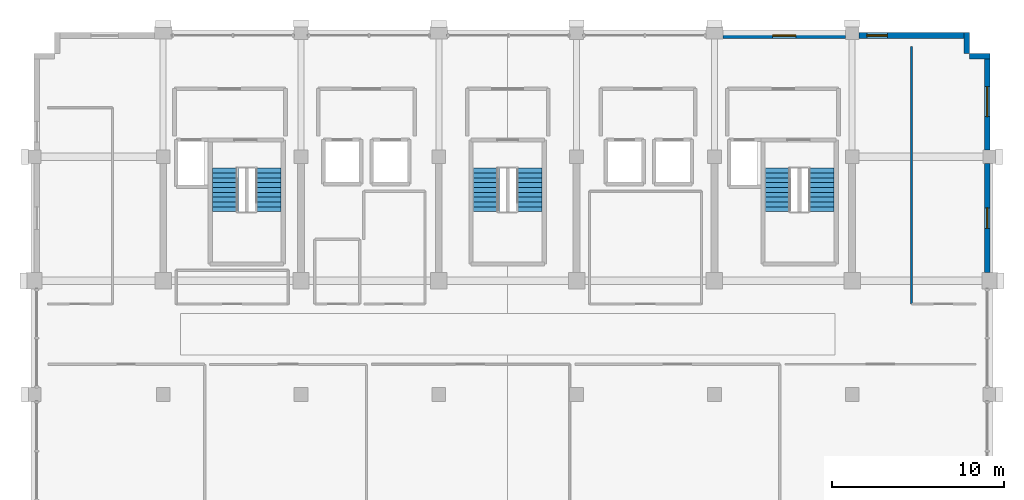
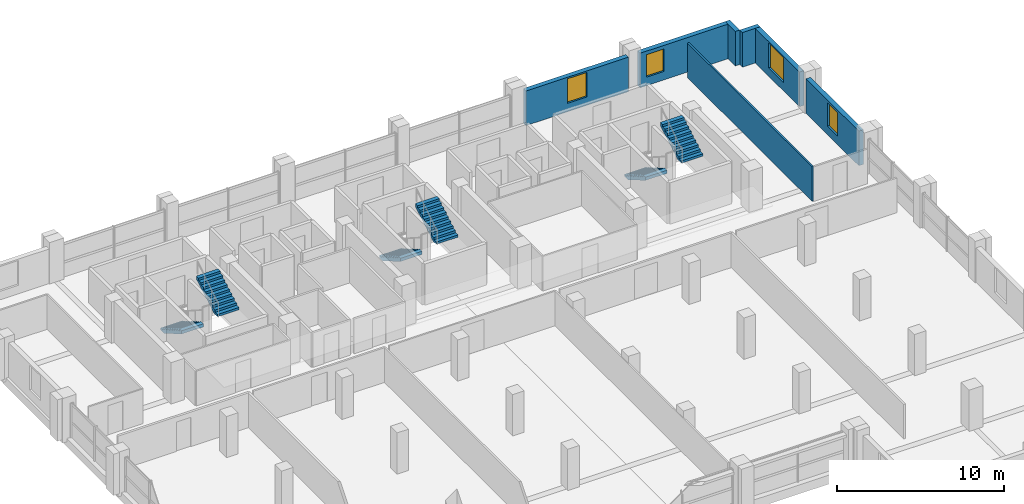
# One storey, part 22 of 23: 7 walls, 6 stair flights, 4 windows, 4 openings, 3 elements without a shape of their own.
"""IFC4 building model written with IfcOpenShell, lengths in metres."""

from ifc_helpers import new_model, si_unit, direction, frame, frame_2d, origin, place, context, subcontext, project, spatial, polyline, rectangle, outline, extrude, material, layer, layer_set, type_object, element, fill, aggregate, save


model = new_model("IFC4")

# Units and contexts
model_context = context("Model", 3, precision=1e-05, world=origin(), true_north=direction((0.0, 1.0)))
body_context = subcontext(model_context, "Body", "Model", "MODEL_VIEW")
ifc_project = project(units=[si_unit("LENGTHUNIT", "METRE"), si_unit("AREAUNIT", "SQUARE_METRE"), si_unit("VOLUMEUNIT", "CUBIC_METRE"), si_unit("PLANEANGLEUNIT", "RADIAN"), si_unit("MASSUNIT", "GRAM", prefix="KILO")], contexts=[model_context])

# Site, building, storey
site_placement = place(None, origin())
site = spatial("IfcSite", under=ifc_project, at=site_placement, CompositionType="ELEMENT")
building_placement = place(site_placement, origin())
building = spatial("IfcBuilding", under=site, at=building_placement, Name="Akrevak Sports Hall", CompositionType="ELEMENT")
storey_placement = place(building_placement, frame((0.0, 0.0, 43.800048828125)))
storey = spatial("IfcBuildingStorey", under=building, at=storey_placement, Name="L10", CompositionType="ELEMENT", Elevation=43.800048828125)

# Wall, opening, window
ifc_material_1 = material(Name="Limestone Ashlar", Category="stone")
ifc_layer_1 = layer(ifc_material_1, 0.070068359375, Name="Limestone Ashlar")
ifc_material_2 = material(Name="Mineral Wool Thermal Insulation", Category="insulation")
ifc_layer_2 = layer(ifc_material_2, 0.090087890625, Name="Mineral Wool Thermal Insulation")
ifc_material_3 = material(Name="Concrete C40/50", Category="concrete")
ifc_layer_3 = layer(ifc_material_3, 0.159912109375, Name="Concrete C40/50")
ifc_layer_set_1 = layer_set([ifc_layer_1, ifc_layer_2, ifc_layer_3], Name="Limestone Ashlar / Mineral Wool Thermal Insulation / Concrete C40/50")
wall_type_1 = type_object("IfcWallType", Name="ARC-WL-EXT-320", PredefinedType="SOLIDWALL", material=ifc_layer_set_1)
wall_1_placement = place(storey_placement, frame((107.840087890625, 55.675048828125, 0.0), z_axis=(0.0, 0.0, 1.0), x_axis=(0.0, 1.0, 0.0)))
wall_1 = element("IfcWall", 1, at=wall_1_placement, inside=storey, type_object=wall_type_1, Name="Tower Stone Facade Wall L10-E15", PredefinedType="SOLIDWALL", context=body_context, shape_type="SweptSolid", body=[
    extrude(rectangle(XDim=6.324951171875, YDim=0.320068359375, at=frame_2d((3.16259765625, 0.0))), origin(), (0.0, 0.0, 1.0), 2.530029296875),
])
opening_1_placement = place(wall_1_placement, frame((2.5625, 0.0, 0.6201171875)))
opening_1 = element("IfcOpeningElement", 2, at=opening_1_placement, cuts=wall_1, Name="Opening WN-13", PredefinedType="OPENING", context=body_context, shape_type="SweptSolid", body=[
    extrude(rectangle(XDim=1.199951171875, YDim=1.699951171875, at=frame_2d((0.60009765625, 0.85009765625))), frame((0.0, 0.171875, 0.0), z_axis=(0.0, -1.0, 0.0), x_axis=(1.0, 0.0, 0.0)), (0.0, 0.0, 1.0), 0.343994140625),
])
ifc_material_4 = material(Name="Thermally Broken Bronze Frame & Double Low-E Glass", Category="glass")
window_type_1 = type_object("IfcWindowType", Name="ARC-WIN-TW-120x170", PartitioningType="SINGLE_PANEL", PredefinedType="WINDOW", material=ifc_material_4)
window_1_placement = place(opening_1_placement, origin())
window_1 = element("IfcWindow", 3, at=window_1_placement, inside=storey, type_object=window_type_1, Name="Tower Window L10-E15", OverallHeight=1.699951171875, OverallWidth=1.199951171875, PartitioningType="SINGLE_PANEL", PredefinedType="WINDOW", context=body_context, shape_type="SweptSolid", body=[
    extrude(rectangle(XDim=1.199951171875, YDim=1.699951171875, at=frame_2d((0.60009765625, 0.85009765625))), frame((0.0, 0.030029296875, 0.0), z_axis=(0.0, -1.0, 0.0), x_axis=(1.0, 0.0, 0.0)), (0.0, 0.0, 1.0), 0.06005859375),
])
fill(opening_1, window_1)

wall_2_placement = place(storey_placement, frame((107.840087890625, 62.800048828125, 0.0), z_axis=(0.0, 0.0, 1.0), x_axis=(0.0, 1.0, 0.0)))
wall_2 = element("IfcWall", 4, at=wall_2_placement, inside=storey, type_object=wall_type_1, Name="Tower Stone Facade Wall L10-E16", PredefinedType="SOLIDWALL", context=body_context, shape_type="SweptSolid", body=[
    extrude(rectangle(XDim=5.599853515625, YDim=0.320068359375, at=frame_2d((2.7998046875, 0.0))), origin(), (0.0, 0.0, 1.0), 2.530029296875),
])
opening_2_placement = place(wall_2_placement, frame((1.925048828125, 0.0, 0.6201171875)))
opening_2 = element("IfcOpeningElement", 5, at=opening_2_placement, cuts=wall_2, Name="Opening WN-56", PredefinedType="OPENING", context=body_context, shape_type="SweptSolid", body=[
    extrude(rectangle(XDim=1.75, YDim=1.81005859375, at=frame_2d((0.875, 0.905029296875))), frame((0.0, 0.171875, 0.0), z_axis=(0.0, -1.0, 0.0), x_axis=(1.0, 0.0, 0.0)), (0.0, 0.0, 1.0), 0.343994140625),
])
window_type_2 = type_object("IfcWindowType", Name="ARC-WIN-SZ-1750x1810", PartitioningType="SINGLE_PANEL", PredefinedType="WINDOW", material=ifc_material_4)
window_2_placement = place(opening_2_placement, origin())
window_2 = element("IfcWindow", 6, at=window_2_placement, inside=storey, type_object=window_type_2, Name="Tower Window L10-E16", OverallHeight=1.81005859375, OverallWidth=1.75, PartitioningType="SINGLE_PANEL", PredefinedType="WINDOW", context=body_context, shape_type="SweptSolid", body=[
    extrude(rectangle(XDim=1.75, YDim=1.81005859375, at=frame_2d((0.875, 0.905029296875))), frame((0.0, 0.030029296875, 0.0), z_axis=(0.0, -1.0, 0.0), x_axis=(1.0, 0.0, 0.0)), (0.0, 0.0, 1.0), 0.06005859375),
])
fill(opening_2, window_2)

# Walls
wall_3_placement = place(storey_placement, frame((108.0, 68.239990234375, 0.0), z_axis=(0.0, 0.0, 1.0), x_axis=(-1.0, 0.0, 0.0)))
element("IfcWall", 7, at=wall_3_placement, inside=storey, type_object=wall_type_1, Name="Tower Stone Facade Wall L10-N17", PredefinedType="SOLIDWALL", context=body_context, shape_type="SweptSolid", body=[
    extrude(rectangle(XDim=1.199951171875, YDim=0.320068359375, at=frame_2d((0.60009765625, 0.0))), origin(), (0.0, 0.0, 1.0), 2.530029296875),
])
wall_4_placement = place(storey_placement, frame((106.639892578125, 68.39990234375, 0.0), z_axis=(0.0, 0.0, 1.0), x_axis=(0.0, 1.0, 0.0)))
element("IfcWall", 8, at=wall_4_placement, inside=storey, type_object=wall_type_1, Name="Tower Stone Facade Wall L10-E18", PredefinedType="SOLIDWALL", context=body_context, shape_type="SweptSolid", body=[
    extrude(rectangle(XDim=1.2001953125, YDim=0.320068359375, at=frame_2d((0.60009765625, 0.0))), origin(), (0.0, 0.0, 1.0), 2.530029296875),
])

# Wall, opening, window
wall_5_placement = place(storey_placement, frame((106.800048828125, 69.43994140625, 0.0), z_axis=(0.0, 0.0, 1.0), x_axis=(-1.0, 0.0, 0.0)))
wall_5 = element("IfcWall", 9, at=wall_5_placement, inside=storey, type_object=wall_type_1, Name="Tower Stone Facade Wall L10-N19", PredefinedType="SOLIDWALL", context=body_context, shape_type="SweptSolid", body=[
    extrude(rectangle(XDim=6.400146484375, YDim=0.320068359375, at=frame_2d((3.2001953125, 0.0))), origin(), (0.0, 0.0, 1.0), 2.530029296875),
])
opening_3_placement = place(wall_5_placement, frame((4.75, 0.0, 0.6201171875)))
opening_3 = element("IfcOpeningElement", 10, at=opening_3_placement, cuts=wall_5, Name="Opening WN-45", PredefinedType="OPENING", context=body_context, shape_type="SweptSolid", body=[
    extrude(rectangle(XDim=1.199951171875, YDim=1.64990234375, at=frame_2d((0.60009765625, 0.824951171875))), frame((0.0, 0.171875, 0.0), z_axis=(0.0, -1.0, 0.0), x_axis=(1.0, 0.0, 0.0)), (0.0, 0.0, 1.0), 0.343994140625),
])
window_type_3 = type_object("IfcWindowType", Name="ARC-WIN-SZ-1200x1650", PartitioningType="SINGLE_PANEL", PredefinedType="WINDOW", material=ifc_material_4)
window_3_placement = place(opening_3_placement, origin())
window_3 = element("IfcWindow", 11, at=window_3_placement, inside=storey, type_object=window_type_3, Name="Tower Window L10-N19", OverallHeight=1.64990234375, OverallWidth=1.199951171875, PartitioningType="SINGLE_PANEL", PredefinedType="WINDOW", context=body_context, shape_type="SweptSolid", body=[
    extrude(rectangle(XDim=1.199951171875, YDim=1.64990234375, at=frame_2d((0.60009765625, 0.824951171875))), frame((0.0, 0.030029296875, 0.0), z_axis=(0.0, -1.0, 0.0), x_axis=(1.0, 0.0, 0.0)), (0.0, 0.0, 1.0), 0.06005859375),
])
fill(opening_3, window_3)

wall_6_placement = place(storey_placement, frame((99.60009765625, 69.43994140625, 0.0), z_axis=(0.0, 0.0, 1.0), x_axis=(-1.0, 0.0, 0.0)))
wall_6 = element("IfcWall", 12, at=wall_6_placement, inside=storey, type_object=wall_type_1, Name="Tower Stone Facade Wall L10-N20", PredefinedType="SOLIDWALL", context=body_context, shape_type="SweptSolid", body=[
    extrude(rectangle(XDim=7.10009765625, YDim=0.320068359375, at=frame_2d((3.550048828125, 0.0))), origin(), (0.0, 0.0, 1.0), 2.530029296875),
])
opening_4_placement = place(wall_6_placement, frame((2.875, 0.0, 0.6201171875)))
opening_4 = element("IfcOpeningElement", 13, at=opening_4_placement, cuts=wall_6, Name="Opening WN-19", PredefinedType="OPENING", context=body_context, shape_type="SweptSolid", body=[
    extrude(rectangle(XDim=1.35009765625, YDim=1.800048828125, at=frame_2d((0.675048828125, 0.89990234375))), frame((0.0, 0.171875, 0.0), z_axis=(0.0, -1.0, 0.0), x_axis=(1.0, 0.0, 0.0)), (0.0, 0.0, 1.0), 0.343994140625),
])
window_type_4 = type_object("IfcWindowType", Name="ARC-WIN-TW-135x180", PartitioningType="SINGLE_PANEL", PredefinedType="WINDOW", material=ifc_material_4)
window_4_placement = place(opening_4_placement, origin())
window_4 = element("IfcWindow", 14, at=window_4_placement, inside=storey, type_object=window_type_4, Name="Tower Window L10-N20", OverallHeight=1.800048828125, OverallWidth=1.35009765625, PartitioningType="SINGLE_PANEL", PredefinedType="WINDOW", context=body_context, shape_type="SweptSolid", body=[
    extrude(rectangle(XDim=1.35009765625, YDim=1.800048828125, at=frame_2d((0.675048828125, 0.89990234375))), frame((0.0, 0.030029296875, 0.0), z_axis=(0.0, -1.0, 0.0), x_axis=(1.0, 0.0, 0.0)), (0.0, 0.0, 1.0), 0.06005859375),
])
fill(opening_4, window_4)

# Wall
ifc_material_5 = material(Name="Standard Metal Stud Partition", Category="gypsum")
ifc_layer_4 = layer(ifc_material_5, 0.1201171875, Name="Standard Metal Stud Partition")
ifc_layer_set_2 = layer_set([ifc_layer_4], Name="Standard Metal Stud Partition")
wall_type_2 = type_object("IfcWallType", Name="ARC-WL-PRT-120", PredefinedType="PARTITIONING", material=ifc_layer_set_2)
wall_7_placement = place(storey_placement, frame((103.449951171875, 53.85009765625, 0.0), z_axis=(0.0, 0.0, 1.0), x_axis=(0.0, 1.0, 0.0)))
element("IfcWall", 15, at=wall_7_placement, inside=storey, type_object=wall_type_2, Name="Interior Partition Federation Research Office L10-E1 (W)", PredefinedType="PARTITIONING", context=body_context, shape_type="SweptSolid", body=[
    extrude(rectangle(XDim=14.949951171875, YDim=0.1201171875, at=frame_2d((7.47509765625, 0.0))), origin(), (0.0, 0.0, 1.0), 2.530029296875),
])

# Stair, stair flights
stair_type = type_object("IfcStairType", Name="ARC-STR-DOG-325", PredefinedType="HALF_TURN_STAIR", material=ifc_material_3)
stair_1_placement = place(storey_placement, origin())
stair_1 = element("IfcStair", 16, at=stair_1_placement, inside=storey, type_object=stair_type, Name="Protected Exit Stair ST1 (L10 to L11)", PredefinedType="HALF_TURN_STAIR")
stair_flight_type = type_object("IfcStairFlightType", Name="ARC-FLT-165-163", PredefinedType="STRAIGHT", material=ifc_material_3)
stair_flight_1_placement = place(storey_placement, frame((63.610107421875, 61.735107421875, 0.0), z_axis=(0.0, 0.0, 1.0), x_axis=(0.0, -1.0, 0.0)))
stair_flight_1 = element("IfcStairFlight", 17, at=stair_flight_1_placement, type_object=stair_flight_type, Name="Stair ST1 Flight 1 (L10)", NumberOfRisers=10, NumberOfTreads=9, PredefinedType="STRAIGHT", RiserHeight=0.1625, TreadLength=0.28, context=body_context, shape_type="SweptSolid", body=[
    extrude(outline(polyline([(0.0, 0.0), (0.0, 0.16259765625), (0.280029296875, 0.16259765625), (0.280029296875, 0.324951171875), (0.56005859375, 0.324951171875), (0.56005859375, 0.487548828125), (0.840087890625, 0.487548828125), (0.840087890625, 0.64990234375), (1.1201171875, 0.64990234375), (1.1201171875, 0.8125), (1.39990234375, 0.8125), (1.39990234375, 0.97509765625), (1.679931640625, 0.97509765625), (1.679931640625, 1.137451171875), (1.9599609375, 1.137451171875), (1.9599609375, 1.300048828125), (2.239990234375, 1.300048828125), (2.239990234375, 1.46240234375), (2.52001953125, 1.46240234375), (2.52001953125, 1.625), (2.52001953125, 1.231201171875), (0.3984375, 0.0), (0.0, 0.0)])), frame((0.0, 0.75, 0.0), z_axis=(0.0, -1.0, 0.0), x_axis=(1.0, 0.0, 0.0)), (0.0, 0.0, 1.0), 1.5),
])
stair_flight_2_placement = place(storey_placement, frame((66.090087890625, 59.215087890625, 1.625), z_axis=(0.0, 0.0, 1.0), x_axis=(0.0, 1.0, 0.0)))
stair_flight_2 = element("IfcStairFlight", 18, at=stair_flight_2_placement, type_object=stair_flight_type, Name="Stair ST1 Flight 2 (L10)", NumberOfRisers=10, NumberOfTreads=9, PredefinedType="STRAIGHT", RiserHeight=0.1625, TreadLength=0.28, context=body_context, shape_type="SweptSolid", body=[
    extrude(outline(polyline([(0.0, 0.0), (0.0, 0.16259765625), (0.280029296875, 0.16259765625), (0.280029296875, 0.324951171875), (0.56005859375, 0.324951171875), (0.56005859375, 0.487548828125), (0.840087890625, 0.487548828125), (0.840087890625, 0.64990234375), (1.1201171875, 0.64990234375), (1.1201171875, 0.8125), (1.39990234375, 0.8125), (1.39990234375, 0.97509765625), (1.679931640625, 0.97509765625), (1.679931640625, 1.137451171875), (1.9599609375, 1.137451171875), (1.9599609375, 1.300048828125), (2.239990234375, 1.300048828125), (2.239990234375, 1.46240234375), (2.52001953125, 1.46240234375), (2.52001953125, 1.625), (2.52001953125, 1.231201171875), (0.3984375, 0.0), (0.0, 0.0)])), frame((0.0, 0.75, 0.0), z_axis=(0.0, -1.0, 0.0), x_axis=(1.0, 0.0, 0.0)), (0.0, 0.0, 1.0), 1.5),
])
aggregate(stair_1, [stair_flight_1, stair_flight_2])

stair_2_placement = place(storey_placement, origin())
stair_2 = element("IfcStair", 19, at=stair_2_placement, inside=storey, type_object=stair_type, Name="Protected Exit Stair ST2 (L10 to L11)", PredefinedType="HALF_TURN_STAIR")
stair_flight_3_placement = place(storey_placement, frame((95.7099609375, 61.735107421875, 0.0), z_axis=(0.0, 0.0, 1.0), x_axis=(0.0, -1.0, 0.0)))
stair_flight_3 = element("IfcStairFlight", 20, at=stair_flight_3_placement, type_object=stair_flight_type, Name="Stair ST2 Flight 1 (L10)", NumberOfRisers=10, NumberOfTreads=9, PredefinedType="STRAIGHT", RiserHeight=0.1625, TreadLength=0.28, context=body_context, shape_type="SweptSolid", body=[
    extrude(outline(polyline([(0.0, 0.0), (0.0, 0.16259765625), (0.280029296875, 0.16259765625), (0.280029296875, 0.324951171875), (0.56005859375, 0.324951171875), (0.56005859375, 0.487548828125), (0.840087890625, 0.487548828125), (0.840087890625, 0.64990234375), (1.1201171875, 0.64990234375), (1.1201171875, 0.8125), (1.39990234375, 0.8125), (1.39990234375, 0.97509765625), (1.679931640625, 0.97509765625), (1.679931640625, 1.137451171875), (1.9599609375, 1.137451171875), (1.9599609375, 1.300048828125), (2.239990234375, 1.300048828125), (2.239990234375, 1.46240234375), (2.52001953125, 1.46240234375), (2.52001953125, 1.625), (2.52001953125, 1.231201171875), (0.3984375, 0.0), (0.0, 0.0)])), frame((0.0, 0.75, 0.0), z_axis=(0.0, -1.0, 0.0), x_axis=(1.0, 0.0, 0.0)), (0.0, 0.0, 1.0), 1.5),
])
stair_flight_4_placement = place(storey_placement, frame((98.18994140625, 59.215087890625, 1.625), z_axis=(0.0, 0.0, 1.0), x_axis=(0.0, 1.0, 0.0)))
stair_flight_4 = element("IfcStairFlight", 21, at=stair_flight_4_placement, type_object=stair_flight_type, Name="Stair ST2 Flight 2 (L10)", NumberOfRisers=10, NumberOfTreads=9, PredefinedType="STRAIGHT", RiserHeight=0.1625, TreadLength=0.28, context=body_context, shape_type="SweptSolid", body=[
    extrude(outline(polyline([(0.0, 0.0), (0.0, 0.16259765625), (0.280029296875, 0.16259765625), (0.280029296875, 0.324951171875), (0.56005859375, 0.324951171875), (0.56005859375, 0.487548828125), (0.840087890625, 0.487548828125), (0.840087890625, 0.64990234375), (1.1201171875, 0.64990234375), (1.1201171875, 0.8125), (1.39990234375, 0.8125), (1.39990234375, 0.97509765625), (1.679931640625, 0.97509765625), (1.679931640625, 1.137451171875), (1.9599609375, 1.137451171875), (1.9599609375, 1.300048828125), (2.239990234375, 1.300048828125), (2.239990234375, 1.46240234375), (2.52001953125, 1.46240234375), (2.52001953125, 1.625), (2.52001953125, 1.231201171875), (0.3984375, 0.0), (0.0, 0.0)])), frame((0.0, 0.75, 0.0), z_axis=(0.0, -1.0, 0.0), x_axis=(1.0, 0.0, 0.0)), (0.0, 0.0, 1.0), 1.5),
])
aggregate(stair_2, [stair_flight_3, stair_flight_4])

stair_3_placement = place(storey_placement, origin())
stair_3 = element("IfcStair", 22, at=stair_3_placement, inside=storey, type_object=stair_type, Name="Protected Exit Stair ST3 (L10 to L11)", PredefinedType="HALF_TURN_STAIR")
stair_flight_5_placement = place(storey_placement, frame((78.760009765625, 61.735107421875, 0.0), z_axis=(0.0, 0.0, 1.0), x_axis=(0.0, -1.0, 0.0)))
stair_flight_5 = element("IfcStairFlight", 23, at=stair_flight_5_placement, type_object=stair_flight_type, Name="Stair ST3 Flight 1 (L10)", NumberOfRisers=10, NumberOfTreads=9, PredefinedType="STRAIGHT", RiserHeight=0.1625, TreadLength=0.28, context=body_context, shape_type="SweptSolid", body=[
    extrude(outline(polyline([(0.0, 0.0), (0.0, 0.16259765625), (0.280029296875, 0.16259765625), (0.280029296875, 0.324951171875), (0.56005859375, 0.324951171875), (0.56005859375, 0.487548828125), (0.840087890625, 0.487548828125), (0.840087890625, 0.64990234375), (1.1201171875, 0.64990234375), (1.1201171875, 0.8125), (1.39990234375, 0.8125), (1.39990234375, 0.97509765625), (1.679931640625, 0.97509765625), (1.679931640625, 1.137451171875), (1.9599609375, 1.137451171875), (1.9599609375, 1.300048828125), (2.239990234375, 1.300048828125), (2.239990234375, 1.46240234375), (2.52001953125, 1.46240234375), (2.52001953125, 1.625), (2.52001953125, 1.231201171875), (0.3984375, 0.0), (0.0, 0.0)])), frame((0.0, 0.75, 0.0), z_axis=(0.0, -1.0, 0.0), x_axis=(1.0, 0.0, 0.0)), (0.0, 0.0, 1.0), 1.5),
])
stair_flight_6_placement = place(storey_placement, frame((81.239990234375, 59.215087890625, 1.625), z_axis=(0.0, 0.0, 1.0), x_axis=(0.0, 1.0, 0.0)))
stair_flight_6 = element("IfcStairFlight", 24, at=stair_flight_6_placement, type_object=stair_flight_type, Name="Stair ST3 Flight 2 (L10)", NumberOfRisers=10, NumberOfTreads=9, PredefinedType="STRAIGHT", RiserHeight=0.1625, TreadLength=0.28, context=body_context, shape_type="SweptSolid", body=[
    extrude(outline(polyline([(0.0, 0.0), (0.0, 0.16259765625), (0.280029296875, 0.16259765625), (0.280029296875, 0.324951171875), (0.56005859375, 0.324951171875), (0.56005859375, 0.487548828125), (0.840087890625, 0.487548828125), (0.840087890625, 0.64990234375), (1.1201171875, 0.64990234375), (1.1201171875, 0.8125), (1.39990234375, 0.8125), (1.39990234375, 0.97509765625), (1.679931640625, 0.97509765625), (1.679931640625, 1.137451171875), (1.9599609375, 1.137451171875), (1.9599609375, 1.300048828125), (2.239990234375, 1.300048828125), (2.239990234375, 1.46240234375), (2.52001953125, 1.46240234375), (2.52001953125, 1.625), (2.52001953125, 1.231201171875), (0.3984375, 0.0), (0.0, 0.0)])), frame((0.0, 0.75, 0.0), z_axis=(0.0, -1.0, 0.0), x_axis=(1.0, 0.0, 0.0)), (0.0, 0.0, 1.0), 1.5),
])
aggregate(stair_3, [stair_flight_5, stair_flight_6])

save(model, "model.ifc")
